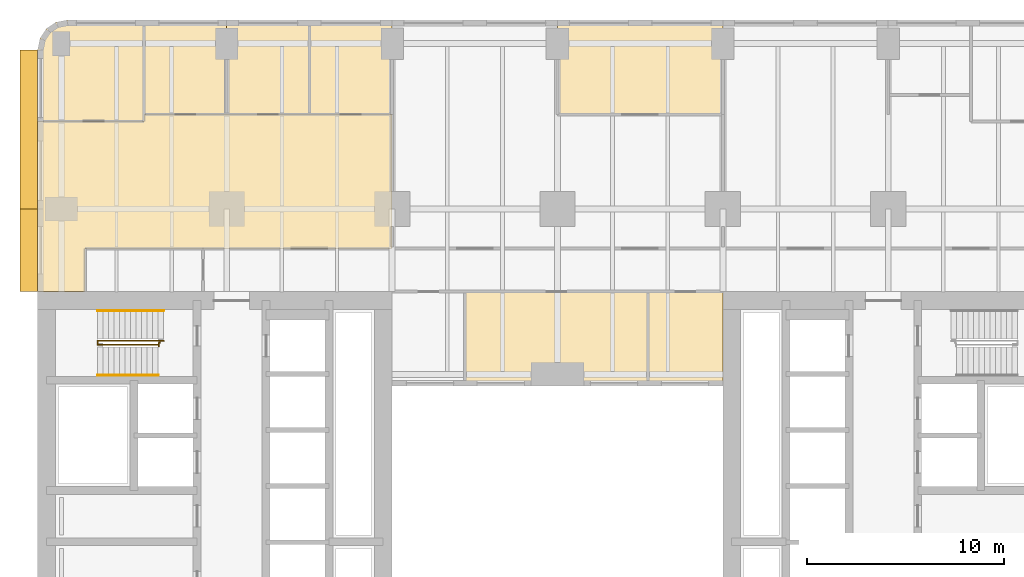
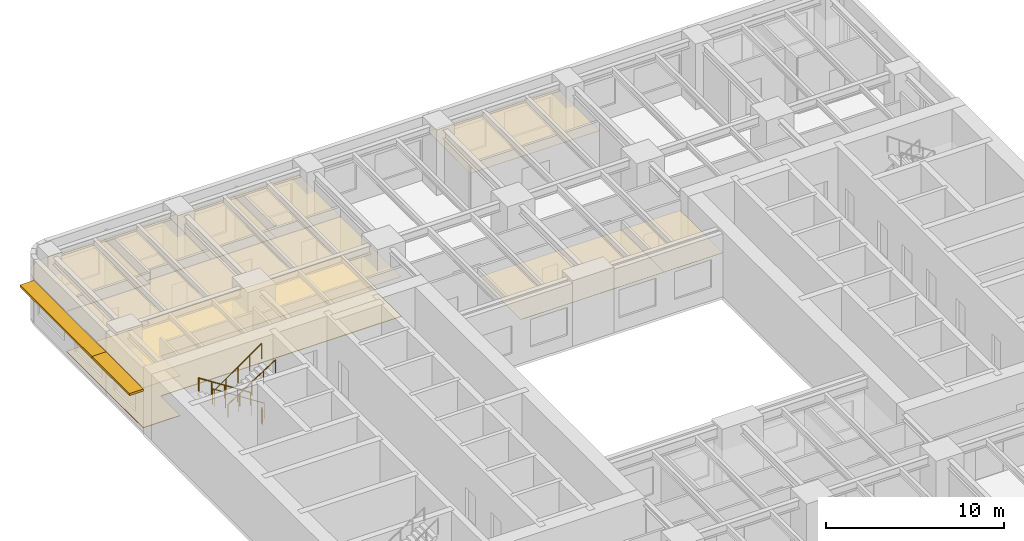
# One storey, part 11 of 12: 9 coverings, 4 railings, 2 shading devices.
"""IFC4 building model written with IfcOpenShell, lengths in metres."""

from ifc_helpers import new_model, si_unit, direction, frame, origin, origin_2d, place, context, subcontext, project, spatial, polyline, rectangle, circle, outline, extrude, material, layer, layer_set, type_object, element, save


model = new_model("IFC4")

# Units and contexts
model_context = context("Model", 3, precision=1e-05, world=origin(), true_north=direction((0.0, 1.0)))
body_context = subcontext(model_context, "Body", "Model", "MODEL_VIEW")
ifc_project = project(units=[si_unit("LENGTHUNIT", "METRE"), si_unit("AREAUNIT", "SQUARE_METRE"), si_unit("VOLUMEUNIT", "CUBIC_METRE"), si_unit("PLANEANGLEUNIT", "RADIAN"), si_unit("MASSUNIT", "GRAM", prefix="KILO")], contexts=[model_context])

# Site, building, storey
site_placement = place(None, origin())
site = spatial("IfcSite", under=ifc_project, at=site_placement, CompositionType="ELEMENT")
building_placement = place(site_placement, origin())
building = spatial("IfcBuilding", under=site, at=building_placement, Name="Claustro Exchange Tower", CompositionType="ELEMENT")
storey_placement = place(building_placement, frame((0.0, 0.0, 81.89990234375)))
storey = spatial("IfcBuildingStorey", under=building, at=storey_placement, Name="L18", CompositionType="ELEMENT", Elevation=81.89990234375)

# Coverings
ifc_material_1 = material(Name="Gypsum board ceiling", Category="gypsum board")
ifc_layer_1 = layer(ifc_material_1, 0.02490234375)
ifc_layer_set_1 = layer_set([ifc_layer_1], Name="Gypsum board ceiling")
covering_type_1 = type_object("IfcCoveringType", Name="CL2 plasterboard ceiling", PredefinedType="CEILING", material=ifc_layer_set_1)
covering_1_placement = place(storey_placement, frame((0.0, 0.0, 3.0)))
element("IfcCovering", 1, at=covering_1_placement, inside=storey, type_object=covering_type_1, Name="Ceiling CL2 L18-16", PredefinedType="CEILING", context=body_context, shape_type="SweptSolid", body=[
    extrude(outline(polyline([(20.5, 33.0), (29.800048828125, 33.0), (29.800048828125, 37.800048828125), (20.5, 37.800048828125), (20.5, 33.0)])), origin(), (0.0, 0.0, 1.0), 0.025146484375),
])
covering_2_placement = place(storey_placement, frame((0.0, 0.0, 3.0)))
element("IfcCovering", 2, at=covering_2_placement, inside=storey, type_object=covering_type_1, Name="Ceiling CL2 L18-17", PredefinedType="CEILING", context=body_context, shape_type="SweptSolid", body=[
    extrude(outline(polyline([(33.60009765625, 33.0), (33.60009765625, 37.800048828125), (29.800048828125, 37.800048828125), (29.800048828125, 33.0), (33.60009765625, 33.0)])), origin(), (0.0, 0.0, 1.0), 0.025146484375),
])
covering_3_placement = place(storey_placement, frame((0.0, 0.0, 3.0)))
element("IfcCovering", 3, at=covering_3_placement, inside=storey, type_object=covering_type_1, Name="Ceiling CL2 L18-20", PredefinedType="CEILING", context=body_context, shape_type="SweptSolid", body=[
    extrude(outline(polyline([(-1.199951171875, 46.449951171875), (-1.199951171875, 37.800048828125), (1.199951171875, 37.800048828125), (1.199951171875, 40.0), (7.199951171875, 40.0), (16.800048828125, 40.0), (16.800048828125, 46.800048828125), (12.60009765625, 46.800048828125), (8.39990234375, 46.800048828125), (4.199951171875, 46.800048828125), (4.199951171875, 46.449951171875), (-1.199951171875, 46.449951171875)])), origin(), (0.0, 0.0, 1.0), 0.025146484375),
])
covering_4_placement = place(storey_placement, frame((0.0, 0.0, 3.0)))
element("IfcCovering", 4, at=covering_4_placement, inside=storey, type_object=covering_type_1, Name="Ceiling CL2 L18-23", PredefinedType="CEILING", context=body_context, shape_type="SweptSolid", body=[
    extrude(outline(polyline([(-1.199951171875, 50.10009765625), (-1.199951171875, 46.449951171875), (4.199951171875, 46.449951171875), (4.199951171875, 51.60009765625), (0.300048828125, 51.60009765625), (-0.27392578125, 51.48583984375), (-0.7607421875, 51.16064453125), (-1.085693359375, 50.674072265625), (-1.199951171875, 50.10009765625)])), origin(), (0.0, 0.0, 1.0), 0.025146484375),
])
covering_5_placement = place(storey_placement, frame((0.0, 0.0, 3.0)))
element("IfcCovering", 5, at=covering_5_placement, inside=storey, type_object=covering_type_1, Name="Ceiling CL2 L18-25", PredefinedType="CEILING", context=body_context, shape_type="SweptSolid", body=[
    extrude(outline(polyline([(8.39990234375, 51.60009765625), (4.199951171875, 51.60009765625), (4.199951171875, 46.800048828125), (8.39990234375, 46.800048828125), (8.39990234375, 51.60009765625)])), origin(), (0.0, 0.0, 1.0), 0.025146484375),
])
covering_6_placement = place(storey_placement, frame((0.0, 0.0, 3.0)))
element("IfcCovering", 6, at=covering_6_placement, inside=storey, type_object=covering_type_1, Name="Ceiling CL2 L18-26", PredefinedType="CEILING", context=body_context, shape_type="SweptSolid", body=[
    extrude(outline(polyline([(12.60009765625, 51.60009765625), (8.39990234375, 51.60009765625), (8.39990234375, 46.800048828125), (12.60009765625, 46.800048828125), (12.60009765625, 51.60009765625)])), origin(), (0.0, 0.0, 1.0), 0.025146484375),
])
covering_7_placement = place(storey_placement, frame((0.0, 0.0, 3.0)))
element("IfcCovering", 7, at=covering_7_placement, inside=storey, type_object=covering_type_1, Name="Ceiling CL2 L18-27", PredefinedType="CEILING", context=body_context, shape_type="SweptSolid", body=[
    extrude(outline(polyline([(16.800048828125, 51.60009765625), (12.60009765625, 51.60009765625), (12.60009765625, 46.800048828125), (16.800048828125, 46.800048828125), (16.800048828125, 51.60009765625)])), origin(), (0.0, 0.0, 1.0), 0.025146484375),
])
covering_8_placement = place(storey_placement, frame((0.0, 0.0, 3.0)))
element("IfcCovering", 8, at=covering_8_placement, inside=storey, type_object=covering_type_1, Name="Ceiling CL2 L18-28", PredefinedType="CEILING", context=body_context, shape_type="SweptSolid", body=[
    extrude(outline(polyline([(33.60009765625, 51.60009765625), (25.199951171875, 51.60009765625), (25.199951171875, 46.800048828125), (33.60009765625, 46.800048828125), (33.60009765625, 51.60009765625)])), origin(), (0.0, 0.0, 1.0), 0.025146484375),
])

# Railings
ifc_material_2 = material(Name="Steel balustrade, painted", Category="steel")
railing_type_1 = type_object("IfcRailingType", Name="GR2 1100 steel stair guard", PredefinedType="GUARDRAIL", material=ifc_material_2)
railing_1_placement = place(storey_placement, frame((5.199951171875, 35.300048828125, 0.18017578125)))
element("IfcRailing", 9, at=railing_1_placement, inside=storey, type_object=railing_type_1, Name="Stair well guard GR2 stair STWB L18", PredefinedType="GUARDRAIL", context=body_context, shape_type="SweptSolid", body=[
    extrude(circle(Radius=0.02392578125, at=origin_2d()), frame((0.0, 0.0, 1.076171875), z_axis=(-0.841178475377, 0.0, 0.540757591313), x_axis=(0.0, -1.0, 0.0)), (0.0, 0.0, 1.0), 3.994140625),
    extrude(circle(Radius=0.02392578125, at=origin_2d()), frame((-3.35986328125, 0.0, 3.23583984375), z_axis=(0.0, -1.0, 0.0), x_axis=(1.0, 0.0, 0.0)), (0.0, 0.0, 1.0), 0.199951171875),
    extrude(circle(Radius=0.02392578125, at=origin_2d()), frame((-3.35986328125, -0.199951171875, 3.23583984375), z_axis=(0.818728512145, 0.0, 0.574180828137), x_axis=(0.0, 1.0, 0.0)), (0.0, 0.0, 1.0), 3.76171875),
    extrude(circle(Radius=0.02099609375, at=origin_2d()), origin(), (0.0, 0.0, 1.0), 1.052001953125),
    extrude(circle(Radius=0.02099609375, at=origin_2d()), frame((-0.83984375, 0.0, 0.5400390625)), (0.0, 0.0, 1.0), 1.052001953125),
    extrude(circle(Radius=0.02099609375, at=origin_2d()), frame((-1.679931640625, 0.0, 1.080078125)), (0.0, 0.0, 1.0), 1.052001953125),
    extrude(circle(Radius=0.02099609375, at=origin_2d()), frame((-2.52001953125, 0.0, 1.619873046875)), (0.0, 0.0, 1.0), 1.052001953125),
    extrude(circle(Radius=0.02099609375, at=origin_2d()), frame((-3.35986328125, 0.0, 2.159912109375)), (0.0, 0.0, 1.0), 1.052001953125),
    extrude(circle(Radius=0.02099609375, at=origin_2d()), frame((-3.35986328125, -0.199951171875, 2.159912109375)), (0.0, 0.0, 1.0), 1.052001953125),
    extrude(circle(Radius=0.02099609375, at=origin_2d()), frame((-2.58984375, -0.199951171875, 2.699951171875)), (0.0, 0.0, 1.0), 1.052001953125),
    extrude(circle(Radius=0.02099609375, at=origin_2d()), frame((-1.81982421875, -0.199951171875, 3.23974609375)), (0.0, 0.0, 1.0), 1.052001953125),
    extrude(circle(Radius=0.02099609375, at=origin_2d()), frame((-1.050048828125, -0.199951171875, 3.77978515625)), (0.0, 0.0, 1.0), 1.052001953125),
    extrude(circle(Radius=0.02099609375, at=origin_2d()), frame((-0.280029296875, -0.199951171875, 4.31982421875)), (0.0, 0.0, 1.0), 1.052001953125),
])
railing_2_placement = place(storey_placement, frame((5.0, 35.22998046875, 0.0)))
element("IfcRailing", 10, at=railing_2_placement, inside=storey, type_object=railing_type_1, Name="Stair guard GR2 STWB L18", PredefinedType="GUARDRAIL", context=body_context, shape_type="SweptSolid", body=[
    extrude(circle(Radius=0.02392578125, at=origin_2d()), frame((0.0, 0.0, 1.076171875), z_axis=(0.0, -1.0, 0.0), x_axis=(1.0, 0.0, 0.0)), (0.0, 0.0, 1.0), 0.030029296875),
    extrude(circle(Radius=0.02392578125, at=origin_2d()), frame((0.0, -0.030029296875, 1.076171875), z_axis=(-1.0, 0.0, 0.0), x_axis=(0.0, -1.0, 0.0)), (0.0, 0.0, 1.0), 0.054931640625),
    extrude(circle(Radius=0.02392578125, at=origin_2d()), frame((-0.054931640625, -0.030029296875, 1.076171875), z_axis=(0.0, -1.0, 0.0), x_axis=(1.0, 0.0, 0.0)), (0.0, 0.0, 1.0), 0.179931640625),
    extrude(circle(Radius=0.02099609375, at=origin_2d()), origin(), (0.0, 0.0, 1.0), 1.052001953125),
    extrude(circle(Radius=0.02099609375, at=origin_2d()), frame((0.0, -0.030029296875, 0.0)), (0.0, 0.0, 1.0), 1.052001953125),
    extrude(circle(Radius=0.02099609375, at=origin_2d()), frame((-0.054931640625, -0.030029296875, 0.0)), (0.0, 0.0, 1.0), 1.052001953125),
    extrude(circle(Radius=0.02099609375, at=origin_2d()), frame((-0.054931640625, -0.2099609375, 0.0)), (0.0, 0.0, 1.0), 1.052001953125),
])
ifc_material_3 = material(Name="Stainless steel tube", Category="steel")
railing_type_2 = type_object("IfcRailingType", Name="HR1 900 stair handrail", PredefinedType="HANDRAIL", material=ifc_material_3)
railing_3_placement = place(storey_placement, frame((5.199951171875, 36.840087890625, 0.18017578125)))
element("IfcRailing", 11, at=railing_3_placement, inside=storey, type_object=railing_type_2, Name="Handrail HR1 stair STWB L18", PredefinedType="HANDRAIL", context=body_context, shape_type="SweptSolid", body=[
    extrude(circle(Radius=0.02392578125, at=origin_2d()), frame((0.0, 0.0, 0.8759765625), z_axis=(-0.841178475377, 0.0, 0.540757591313), x_axis=(0.0, -1.0, 0.0)), (0.0, 0.0, 1.0), 3.994140625),
    extrude(circle(Radius=0.02099609375, at=origin_2d()), origin(), (0.0, 0.0, 1.0), 0.851806640625),
    extrude(circle(Radius=0.02099609375, at=origin_2d()), frame((-0.83984375, 0.0, 0.5400390625)), (0.0, 0.0, 1.0), 0.851806640625),
    extrude(circle(Radius=0.02099609375, at=origin_2d()), frame((-1.679931640625, 0.0, 1.080078125)), (0.0, 0.0, 1.0), 0.851806640625),
    extrude(circle(Radius=0.02099609375, at=origin_2d()), frame((-2.52001953125, 0.0, 1.619873046875)), (0.0, 0.0, 1.0), 0.851806640625),
    extrude(circle(Radius=0.02099609375, at=origin_2d()), frame((-3.35986328125, 0.0, 2.159912109375)), (0.0, 0.0, 1.0), 0.851806640625),
])
railing_4_placement = place(storey_placement, frame((1.840087890625, 33.56005859375, 2.52001953125)))
element("IfcRailing", 12, at=railing_4_placement, inside=storey, type_object=railing_type_2, Name="Handrail HR1 stair STWB L18", PredefinedType="HANDRAIL", context=body_context, shape_type="SweptSolid", body=[
    extrude(circle(Radius=0.02392578125, at=origin_2d()), frame((0.0, 0.0, 0.8759765625), z_axis=(0.841167642724, 0.0, 0.540774441735), x_axis=(0.0, 1.0, 0.0)), (0.0, 0.0, 1.0), 3.661376953125),
    extrude(circle(Radius=0.02099609375, at=origin_2d()), origin(), (0.0, 0.0, 1.0), 0.851806640625),
    extrude(circle(Radius=0.02099609375, at=origin_2d()), frame((0.77001953125, 0.0, 0.4951171875)), (0.0, 0.0, 1.0), 0.851806640625),
    extrude(circle(Radius=0.02099609375, at=origin_2d()), frame((1.5400390625, 0.0, 0.989990234375)), (0.0, 0.0, 1.0), 0.851806640625),
    extrude(circle(Radius=0.02099609375, at=origin_2d()), frame((2.309814453125, 0.0, 1.48486328125)), (0.0, 0.0, 1.0), 0.851806640625),
    extrude(circle(Radius=0.02099609375, at=origin_2d()), frame((3.079833984375, 0.0, 1.97998046875)), (0.0, 0.0, 1.0), 0.851806640625),
])

# Covering
ifc_material_4 = material(Name="Steel-encased raised floor panels on pedestals", Category="steel")
ifc_layer_2 = layer(ifc_material_4, 0.0400390625)
ifc_layer_set_2 = layer_set([ifc_layer_2], Name="Steel-encased raised floor panels on pedestals")
covering_type_2 = type_object("IfcCoveringType", Name="RF1 300 raised access floor", PredefinedType="FLOORING", material=ifc_layer_set_2)
covering_9_placement = place(storey_placement, frame((0.0, 0.0, 0.260009765625)))
element("IfcCovering", 13, at=covering_9_placement, inside=storey, type_object=covering_type_2, Name="Raised access floor RF1 L18-20", PredefinedType="FLOORING", context=body_context, shape_type="SweptSolid", body=[
    extrude(outline(polyline([(-1.199951171875, 46.449951171875), (-1.199951171875, 37.800048828125), (1.199951171875, 37.800048828125), (1.199951171875, 40.0), (7.199951171875, 40.0), (16.800048828125, 40.0), (16.800048828125, 46.800048828125), (12.60009765625, 46.800048828125), (8.39990234375, 46.800048828125), (4.199951171875, 46.800048828125), (4.199951171875, 46.449951171875), (-1.199951171875, 46.449951171875)])), origin(), (0.0, 0.0, 1.0), 0.0400390625),
])

# Shading devices
ifc_material_5 = material(Name="Concrete HA-40 (C40/50), precast, white cement, acid-etched", Category="concrete")
ifc_layer_3 = layer(ifc_material_5, 0.14990234375)
ifc_layer_set_3 = layer_set([ifc_layer_3], Name="Concrete HA-40 (C40/50), precast, white cement, acid-etched")
shading_device_type = type_object("IfcShadingDeviceType", Name="SS2 900 precast concrete SUNSHADE", PredefinedType="SHUTTER", material=ifc_layer_set_3)
shading_device_1_placement = place(storey_placement, frame((-1.64990234375, 39.89990234375, 2.800048828125), z_axis=(0.0, 0.0, 1.0), x_axis=(0.0, 1.0, 0.0)))
element("IfcShadingDevice", 14, at=shading_device_1_placement, inside=storey, type_object=shading_device_type, Name="Precast SUNSHADE SS2 L18", PredefinedType="SHUTTER", context=body_context, shape_type="SweptSolid", body=[
    extrude(rectangle(XDim=4.199951171875, YDim=0.89990234375, at=origin_2d()), origin(), (0.0, 0.0, 1.0), 0.14990234375),
])
shading_device_2_placement = place(storey_placement, frame((-1.64990234375, 46.04248046875, 2.800048828125), z_axis=(0.0, 0.0, 1.0), x_axis=(0.0, 1.0, 0.0)))
element("IfcShadingDevice", 15, at=shading_device_2_placement, inside=storey, type_object=shading_device_type, Name="Precast SUNSHADE SS2 L18", PredefinedType="SHUTTER", context=body_context, shape_type="SweptSolid", body=[
    extrude(rectangle(XDim=8.085205078125, YDim=0.89990234375, at=origin_2d()), origin(), (0.0, 0.0, 1.0), 0.14990234375),
])

save(model, "model.ifc")
